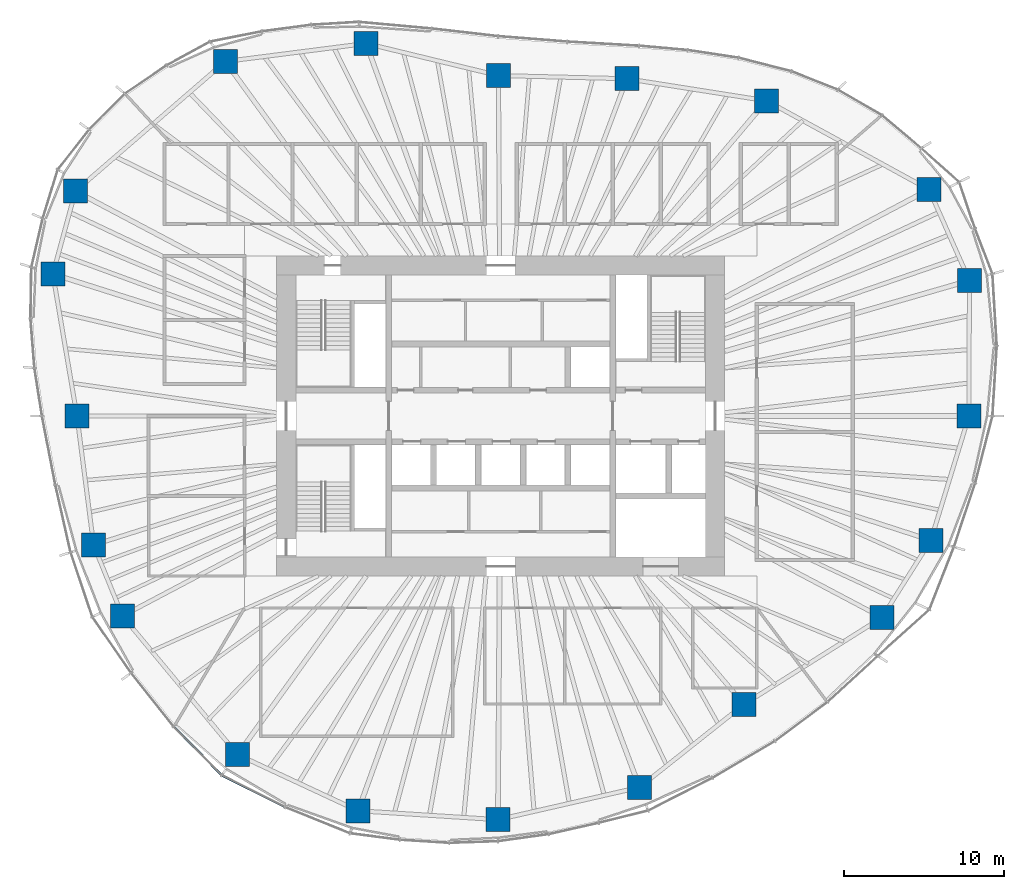
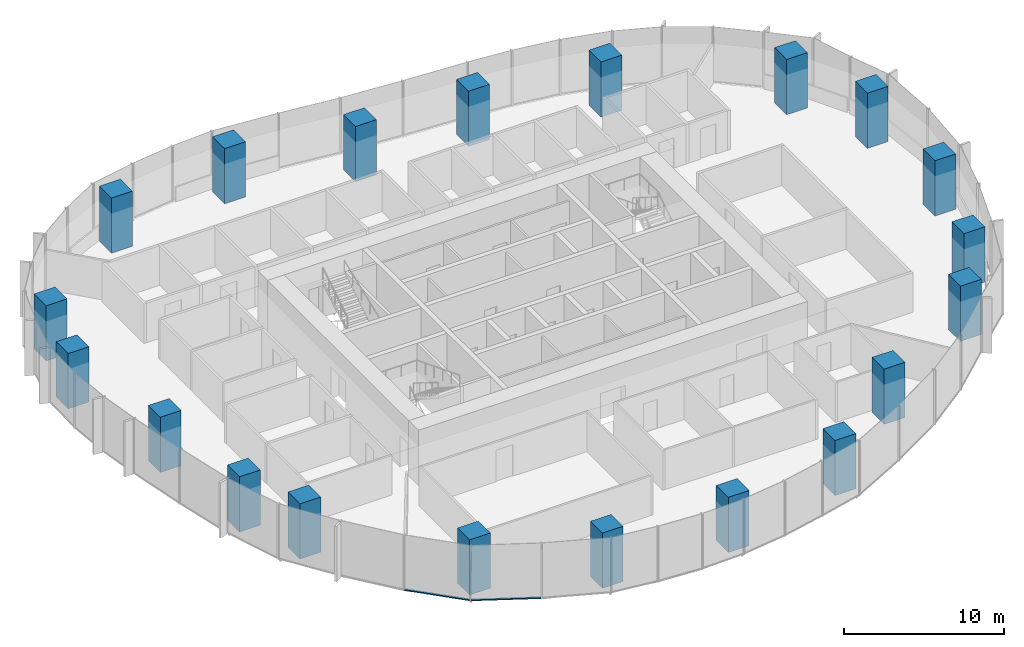
# One storey, part 1 of 18: 20 columns, 2 members, 2 elements without a shape of their own.
"""IFC4 building model written with IfcOpenShell, lengths in metres."""

from ifc_helpers import new_model, si_unit, direction, frame, origin, origin_2d, place, context, subcontext, project, spatial, rectangle, extrude, material, material_profile, profile_set, type_object, element, aggregate, save


model = new_model("IFC4")

# Units and contexts
model_context = context("Model", 3, precision=1e-05, world=origin(), true_north=direction((0.0, 1.0)))
body_context = subcontext(model_context, "Body", "Model", "MODEL_VIEW")
ifc_project = project(units=[si_unit("LENGTHUNIT", "METRE"), si_unit("AREAUNIT", "SQUARE_METRE"), si_unit("VOLUMEUNIT", "CUBIC_METRE"), si_unit("PLANEANGLEUNIT", "RADIAN"), si_unit("MASSUNIT", "GRAM", prefix="KILO")], contexts=[model_context])

# Site, building, storey
site_placement = place(None, origin())
site = spatial("IfcSite", under=ifc_project, at=site_placement, CompositionType="ELEMENT")
building_placement = place(site_placement, origin())
building = spatial("IfcBuilding", under=site, at=building_placement, Name="Ghaith Harvest Tower", CompositionType="ELEMENT")
storey_placement = place(building_placement, frame((0.0, 0.0, 134.39990234375)))
storey = spatial("IfcBuildingStorey", under=building, at=storey_placement, Name="L28", CompositionType="ELEMENT", Elevation=134.39990234375)

# Columns
ifc_material_1 = material(Name="Concrete C60/75", Category="concrete")
ifc_material_profile_1 = material_profile(ifc_material_1, rectangle(XDim=1.5, YDim=1.5, at=origin_2d()), Name="RC1500X1500")
ifc_profile_set_1 = profile_set([ifc_material_profile_1], Name="Concrete C60/75")
column_type = type_object("IfcColumnType", Name="TC3 RC1500X1500", PredefinedType="COLUMN", material=ifc_profile_set_1)
for number, where, z_axis, x_axis, name in (
    (1, (29.259033203125, 0.0, 0.0), (0.0, 0.0, 1.0), (1.0, 0.0, 0.0), "Perimeter column C01"),
    (2, (29.285888671875, 8.464111328125, 0.0), (0.0, 0.0, 1.0), (1.0, 0.0, 0.0), "Perimeter column C02"),
    (3, (26.763916015625, 14.14697265625, 0.0), (0.0, 0.0, 1.0), (1.0, 0.0, 0.0), "Perimeter column C03"),
    (4, (16.60791015625, 19.695068359375, 0.0), (0.0, 0.0, 1.0), (1.0, 0.0, 0.0), "Perimeter column C04"),
    (5, (7.8779296875, 21.072021484375, 0.0), (0.0, 0.0, 1.0), (1.0, 0.0, 0.0), "Perimeter column C05"),
    (6, (-0.14599609375, 21.27099609375, 0.0), (0.0, 0.0, 1.0), (1.0, 0.0, 0.0), "Perimeter column C06"),
    (7, (-8.406982421875, 23.27587890625, 0.0), (0.0, 0.0, 1.0), (1.0, 0.0, 0.0), "Perimeter column C07"),
    (8, (-17.201904296875, 22.14990234375, 0.0), (0.0, 0.0, 1.0), (1.0, 0.0, 0.0), "Perimeter column C08"),
    (9, (-26.572998046875, 14.0458984375, 0.0), (0.0, 0.0, 1.0), (1.0, 0.0, 0.0), "Perimeter column C09"),
    (10, (-27.98291015625, 8.867919921875, 0.0), (0.0, 0.0, 1.0), (1.0, 0.0, 0.0), "Perimeter column C10"),
    (11, (-26.47509765625, 0.0, 0.0), (0.0, 0.0, 1.0), (1.0, 0.0, 0.0), "Perimeter column C11"),
    (12, (-25.43603515625, -8.06103515625, 0.0), (0.0, 0.0, 1.0), (1.0, 0.0, 0.0), "Perimeter column C12"),
    (13, (-23.635009765625, -12.492919921875, 0.0), (0.0, 0.0, 1.0), (1.0, 0.0, 0.0), "Perimeter column C13"),
    (14, (-16.43701171875, -21.1640625, 0.0), (0.0, 0.0, 1.0), (1.0, 0.0, 0.0), "Perimeter column C14"),
    (15, (-8.908935546875, -24.66796875, 0.0), (0.0, 0.0, 1.0), (1.0, 0.0, 0.0), "Perimeter column C15"),
    (16, (-0.173095703125, -25.22412109375, 0.0), (0.0, 0.0, 1.0), (1.0, 0.0, 0.0), "Perimeter column C16"),
    (17, (8.674072265625, -23.202880859375, 0.0), (0.0, 0.0, 1.0), (1.0, 0.0, 0.0), "Perimeter column C17"),
    (18, (15.197998046875, -18.02294921875, 0.0), (0.0, 0.0, 1.0), (1.0, 0.0, 0.0), "Perimeter column C18"),
    (19, (23.825927734375, -12.593994140625, 0.0), (0.0, 0.0, 1.0), (1.0, 0.0, 0.0), "Perimeter column C19"),
    (20, (26.8779296875, -7.76806640625, 0.0), (0.0, 0.0, 1.0), (1.0, 0.0, 0.0), "Perimeter column C20"),
):
    element("IfcColumn", number, at=place(storey_placement, frame(where, z_axis=z_axis, x_axis=x_axis)), inside=storey, type_object=column_type, Name=name, PredefinedType="COLUMN", context=body_context, shape_type="SweptSolid", body=[
        extrude(rectangle(XDim=1.5, YDim=1.5, at=origin_2d()), origin(), (0.0, 0.0, 1.0), 4.2001953125),
    ])

# Curtain wall, member
ifc_material_2 = material(Name="Black anodised aluminium and fritted glass", Category="aluminium")
curtain_wall_type = type_object("IfcCurtainWallType", Name="CW-L CURTAIN WALL", PredefinedType="NOTDEFINED", material=ifc_material_2)
curtain_wall_1_placement = place(storey_placement, origin())
curtain_wall_1 = element("IfcCurtainWall", 21, at=curtain_wall_1_placement, inside=storey, type_object=curtain_wall_type, Name="Curtain wall CW-L bay 13 L28", PredefinedType="NOTDEFINED")
ifc_material_3 = material(Name="Aluminium, black anodised", Category="aluminium")
ifc_material_profile_2 = material_profile(ifc_material_3, rectangle(XDim=0.14990234375, YDim=0.080078125, at=origin_2d()), Name="CW-L TRANSOM 150x80")
ifc_profile_set_2 = profile_set([ifc_material_profile_2], Name="Aluminium, black anodised")
member_type = type_object("IfcMemberType", Name="CW-L TRANSOM 150x80", PredefinedType="USERDEFINED", material=ifc_profile_set_2)
member_1_placement = place(storey_placement, frame((-20.4130859375, -19.425048828125, 0.0400390625), z_axis=(0.702854410476, -0.711333731574, 0.0), x_axis=(0.711333731574, 0.702854410476, 0.0)))
member_1 = element("IfcMember", 22, at=member_1_placement, type_object=member_type, Name="CW-L transom 2 bay 13 L28", ObjectType="TRANSOM", PredefinedType="USERDEFINED", context=body_context, shape_type="SweptSolid", body=[
    extrude(rectangle(XDim=0.14990234375, YDim=0.080078125, at=origin_2d()), origin(), (0.0, 0.0, 1.0), 4.20361328125),
])
aggregate(curtain_wall_1, [member_1])

curtain_wall_2_placement = place(storey_placement, origin())
curtain_wall_2 = element("IfcCurtainWall", 23, at=curtain_wall_2_placement, inside=storey, type_object=curtain_wall_type, Name="Curtain wall CW-L bay 14 L28", PredefinedType="NOTDEFINED")
member_2_placement = place(storey_placement, frame((-17.394775390625, -22.461669921875, 0.0400390625), z_axis=(0.893057524502, -0.449942505138, 0.0), x_axis=(0.449942505138, 0.893057524502, 0.0)))
member_2 = element("IfcMember", 24, at=member_2_placement, type_object=member_type, Name="CW-L transom 1 bay 14 L28", ObjectType="TRANSOM", PredefinedType="USERDEFINED", context=body_context, shape_type="SweptSolid", body=[
    extrude(rectangle(XDim=0.14990234375, YDim=0.080078125, at=origin_2d()), origin(), (0.0, 0.0, 1.0), 4.362548828125),
])
aggregate(curtain_wall_2, [member_2])

save(model, "model.ifc")
